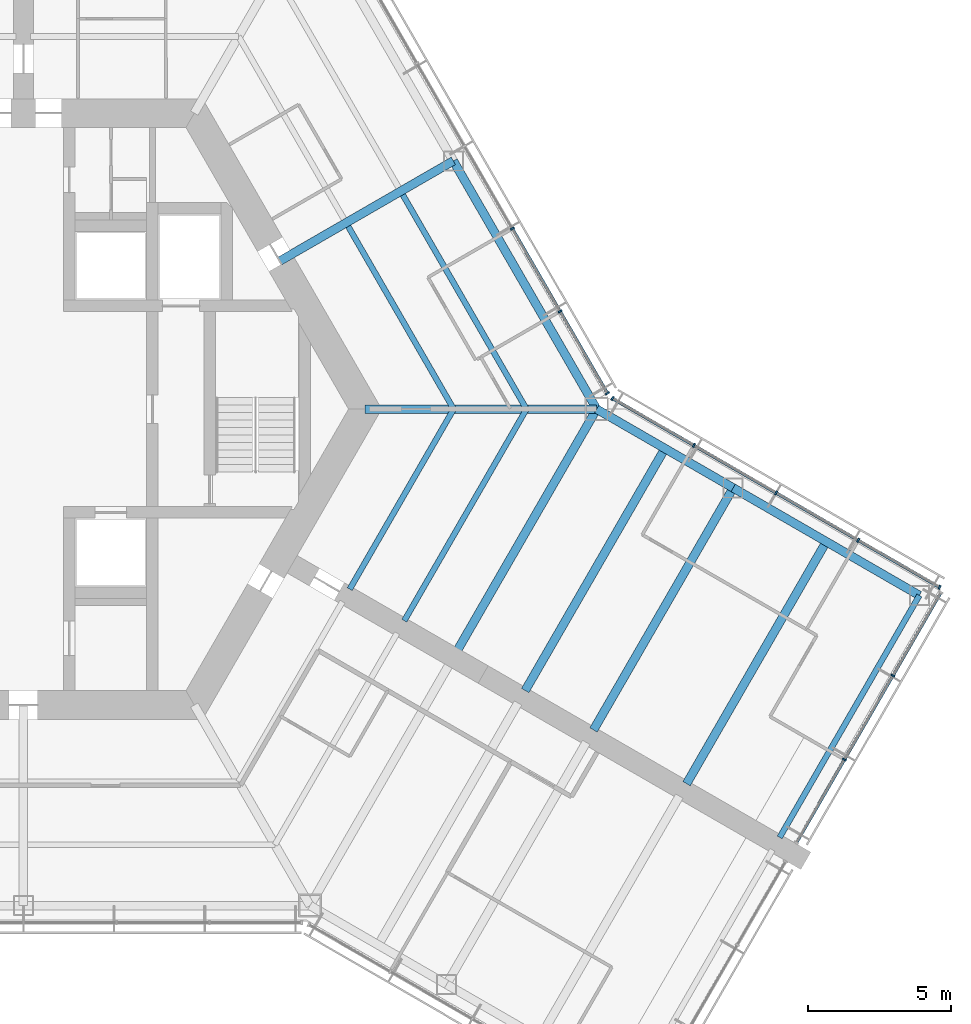
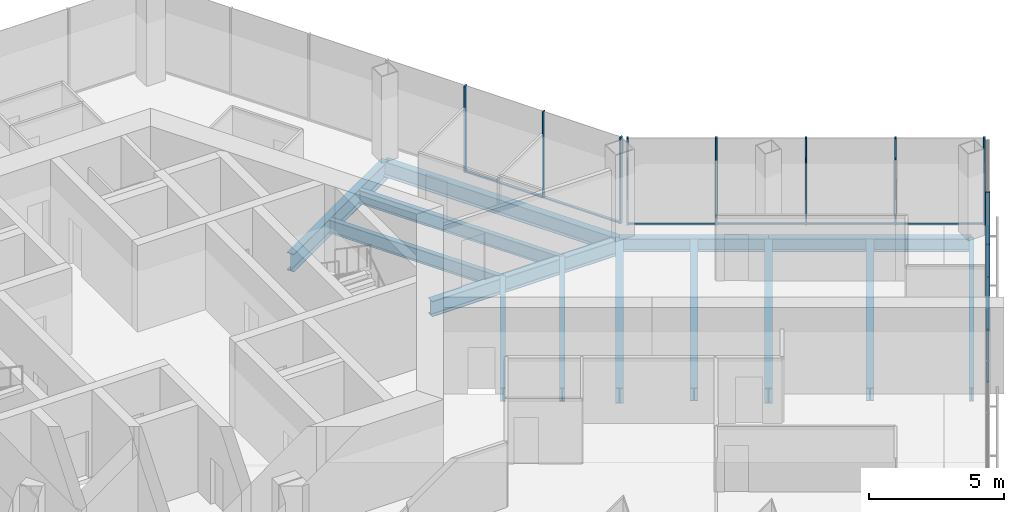
# One storey, part 6 of 18: 19 members, 14 beams, 3 elements without a shape of their own.
"""IFC4 building model written with IfcOpenShell, lengths in metres."""

import ifcopenshell
import ifcopenshell.guid

model = None  # the IFC model being written
_history = None  # IfcOwnerHistory: only IFC2X3 demands one
_inside = {}  # id of a spatial element -> (the spatial element, [elements in it])
_under = {}  # id of a project, library or spatial element -> (it, [spatial elements below it])
_declared = {}  # id of a project -> (the project, [libraries it declares])
_typed = {}  # id of a type object -> (the type object, [elements of that type])
_made_of = {}  # id of a material, layer set ... -> (it, [elements and type objects made of it])


def new_model(schema):
    """Start an empty IFC model of exactly this schema.

    Asked for "IFC4X3", IfcOpenShell would pick the latest addendum, in which some entities
    have other attributes; the version numbers below select the first issue.
    IFC2X3 requires an IfcOwnerHistory on every rooted entity: one is made here for all.
    """
    global model, _history
    if schema == "IFC4X3":
        model = ifcopenshell.file(schema_version=(4, 3, 0, 0))
    else:
        model = ifcopenshell.file(schema=schema)
    _inside.clear()
    _under.clear()
    _declared.clear()
    _typed.clear()
    _made_of.clear()
    _history = None
    if model.schema == "IFC2X3":
        org = make("IfcOrganization", Name="unknown")
        user = make(
            "IfcPersonAndOrganization",
            ThePerson=make("IfcPerson", FamilyName="unknown"),
            TheOrganization=org,
        )
        app = make(
            "IfcApplication",
            ApplicationDeveloper=org,
            Version="unknown",
            ApplicationFullName="unknown",
            ApplicationIdentifier="unknown",
        )
        _history = make(
            "IfcOwnerHistory",
            OwningUser=user,
            OwningApplication=app,
            ChangeAction="ADDED",
            CreationDate=0,
        )
    return model


def make(cls, **values):
    """One entity of the class cls with the attributes given. An attribute that is None is left unset."""
    return model.create_entity(
        cls, **{name: value for name, value in values.items() if value is not None}
    )


def rooted(cls, **values):
    """An entity with a GlobalId (a new one), such as an element, a storey or a relation."""
    return make(cls, GlobalId=ifcopenshell.guid.new(), OwnerHistory=_history, **values)


def si_unit(unit_type, name, prefix=None):
    """IfcSIUnit, for example si_unit("LENGTHUNIT", "METRE", prefix="MILLI")."""
    return make("IfcSIUnit", UnitType=unit_type, Prefix=prefix, Name=name)


def assignment(units):
    """IfcUnitAssignment: the units of a project."""
    return None if units is None else make("IfcUnitAssignment", Units=units)


def point(xyz):
    """IfcCartesianPoint."""
    return None if xyz is None else make("IfcCartesianPoint", Coordinates=xyz)


def direction(xyz):
    """IfcDirection."""
    return None if xyz is None else make("IfcDirection", DirectionRatios=xyz)


def frame(location, z_axis=None, x_axis=None):
    """IfcAxis2Placement3D, a coordinate frame: its origin and axes. An axis left out is left unset."""
    return make(
        "IfcAxis2Placement3D",
        Location=point(location),
        Axis=direction(z_axis),
        RefDirection=direction(x_axis),
    )


def frame_2d(location, x_axis=None):
    """IfcAxis2Placement2D, a coordinate frame in the plane: its origin and x axis."""
    return make(
        "IfcAxis2Placement2D", Location=point(location), RefDirection=direction(x_axis)
    )


def origin():
    """The frame at (0, 0, 0) with its axes left unset."""
    return frame((0.0, 0.0, 0.0))


def origin_2d():
    """The frame at (0, 0) in the plane with its x axis left unset."""
    return frame_2d((0.0, 0.0))


def place(relative_to, where):
    """IfcLocalPlacement: puts the frame where relative to a parent placement (None: the world)."""
    return make(
        "IfcLocalPlacement", PlacementRelTo=relative_to, RelativePlacement=where
    )


def context(
    kind, dimensions, precision=None, world=None, true_north=None, identifier=None
):
    """IfcGeometricRepresentationContext, for example the 3D "Model" context."""
    return make(
        "IfcGeometricRepresentationContext",
        ContextIdentifier=identifier,
        ContextType=kind,
        CoordinateSpaceDimension=dimensions,
        Precision=precision,
        WorldCoordinateSystem=world,
        TrueNorth=true_north,
    )


def subcontext(parent, identifier, kind, view, scale=None):
    """IfcGeometricRepresentationSubContext, for example "Body" below "Model"."""
    return make(
        "IfcGeometricRepresentationSubContext",
        ContextIdentifier=identifier,
        ContextType=kind,
        ParentContext=parent,
        TargetScale=scale,
        TargetView=view,
    )


def project(units=None, contexts=None):
    """IfcProject with its units and contexts."""
    return rooted(
        "IfcProject",
        Name="project",
        RepresentationContexts=contexts,
        UnitsInContext=assignment(units),
    )


def spatial(cls, under=None, at=None, **own):
    """A site, building, storey or space (cls), placed at a placement, below another one or the project."""
    s = rooted(cls, ObjectPlacement=at, **own)
    if under is not None:
        _under.setdefault(under.id(), (under, []))[1].append(s)
    return s


def profile(cls, at=None, kind="AREA", **sizes):
    """A parametric profile (cls). Its sizes go by their IFC names, for example OverallWidth=200.0."""
    return make(cls, ProfileType=kind, Position=at, **sizes)


def rectangle(**sizes):
    """IfcRectangleProfileDef."""
    return profile("IfcRectangleProfileDef", **sizes)


def i_section(**sizes):
    """IfcIShapeProfileDef."""
    return profile("IfcIShapeProfileDef", **sizes)


def extrude(swept, where, along, depth):
    """IfcExtrudedAreaSolid: the profile swept, set in the frame where, extruded along a direction by depth."""
    return make(
        "IfcExtrudedAreaSolid",
        SweptArea=swept,
        Position=where,
        ExtrudedDirection=direction(along),
        Depth=depth,
    )


def shape(context_of_items, identifier, shape_type, items):
    """IfcShapeRepresentation: the items that make up one representation, for example the "Body"."""
    return make(
        "IfcShapeRepresentation",
        ContextOfItems=context_of_items,
        RepresentationIdentifier=identifier,
        RepresentationType=shape_type,
        Items=items,
    )


def material(Name=None, Category=None):
    """IfcMaterial."""
    return make("IfcMaterial", Name=Name, Category=Category)


def material_profile(
    of_material, cross_section, Name=None, Category=None, Priority=None
):
    """IfcMaterialProfile: a cross section and its material."""
    return make(
        "IfcMaterialProfile",
        Name=Name,
        Material=of_material,
        Profile=cross_section,
        Priority=Priority,
        Category=Category,
    )


def profile_set(profiles, Name=None, composite=None):
    """IfcMaterialProfileSet."""
    return make(
        "IfcMaterialProfileSet",
        Name=Name,
        MaterialProfiles=profiles,
        CompositeProfile=composite,
    )


def made_of(thing, what):
    """Note that an element or type object is made of a material, layer set ...; save() writes the relation."""
    if what is not None:
        _made_of.setdefault(what.id(), (what, []))[1].append(thing)
    return thing


def type_object(cls, material=None, **own):
    """A type object (cls), such as IfcWallType, which elements share."""
    return made_of(rooted(cls, **own), material)


def element(
    cls,
    number,
    at=None,
    inside=None,
    cuts=None,
    type_object=None,
    material=None,
    context=None,
    identifier="Body",
    shape_type=None,
    held_by="IfcProductDefinitionShape",
    body=None,
    shapes=None,
    **own,
):
    """One element of the class cls, such as IfcWall. Its Tag is "e" and its number.

    at: its placement. inside: the storey or other place that contains it. cuts: it is an
    opening in that element (IfcRelVoidsElement). A single representation is given by context,
    identifier, shape_type and body (its items); several are given by shapes. held_by: the class
    of the entity that holds the representations. save() writes the other relations.
    """
    e = rooted(cls, Tag="e%d" % number, ObjectPlacement=at, **own)
    if body is not None:
        shapes = [shape(context, identifier, shape_type, body)]
    if shapes is not None:
        e.Representation = make(held_by, Representations=shapes)
    if inside is not None:
        _inside.setdefault(inside.id(), (inside, []))[1].append(e)
    if cuts is not None:
        rooted(
            "IfcRelVoidsElement", RelatingBuildingElement=cuts, RelatedOpeningElement=e
        )
    if type_object is not None:
        _typed.setdefault(type_object.id(), (type_object, []))[1].append(e)
    return made_of(e, material)


def aggregate(whole, parts):
    """IfcRelAggregates: a whole, such as a stair, and the parts it consists of."""
    return rooted("IfcRelAggregates", RelatingObject=whole, RelatedObjects=parts)


def save(model, path):
    """Write the relations noted so far, then the file.

    IfcRelAggregates (storeys below a building ...), IfcRelContainedInSpatialStructure (elements
    in a storey), IfcRelDefinesByType, IfcRelAssociatesMaterial and IfcRelDeclares: one each for
    every whole, place, type object, material and project.
    """
    for whole, parts in _under.values():
        aggregate(whole, parts)
    for where, things in _inside.values():
        rooted(
            "IfcRelContainedInSpatialStructure",
            RelatedElements=things,
            RelatingStructure=where,
        )
    for kind, things in _typed.values():
        rooted("IfcRelDefinesByType", RelatedObjects=things, RelatingType=kind)
    for what, things in _made_of.values():
        rooted("IfcRelAssociatesMaterial", RelatedObjects=things, RelatingMaterial=what)
    for by, libraries in _declared.values():
        rooted("IfcRelDeclares", RelatingContext=by, RelatedDefinitions=libraries)
    model.write(path)


model = new_model("IFC4")

# Units and contexts
model_context = context("Model", 3, precision=1e-05, world=origin(), true_north=direction((0.0, 1.0)))
body_context = subcontext(model_context, "Body", "Model", "MODEL_VIEW")
ifc_project = project(units=[si_unit("LENGTHUNIT", "METRE"), si_unit("AREAUNIT", "SQUARE_METRE"), si_unit("VOLUMEUNIT", "CUBIC_METRE"), si_unit("PLANEANGLEUNIT", "RADIAN"), si_unit("MASSUNIT", "GRAM", prefix="KILO")], contexts=[model_context])

# Site, building, storey
site_placement = place(None, origin())
site = spatial("IfcSite", under=ifc_project, at=site_placement, CompositionType="ELEMENT")
building_placement = place(site_placement, origin())
building = spatial("IfcBuilding", under=site, at=building_placement, Name="Kasaneha Research Tower", CompositionType="ELEMENT")
storey_placement = place(building_placement, frame((0.0, 0.0, 140.89990234375)))
storey = spatial("IfcBuildingStorey", under=building, at=storey_placement, Name="L35", CompositionType="ELEMENT", Elevation=140.89990234375)

# Beams
ifc_material_1 = material(Name="Steel SN490B", Category="steel")
ifc_material_profile_1 = material_profile(ifc_material_1, i_section(OverallWidth=0.199951171875, OverallDepth=0.60009765625, WebThickness=0.010986328125, FlangeThickness=0.01708984375, FilletRadius=0.012939453125, at=origin_2d()), Name="H-600x200x11x17")
ifc_profile_set_1 = profile_set([ifc_material_profile_1], Name="Steel SN490B")
beam_type_1 = type_object("IfcBeamType", Name="B1-3 secondary beam H-600x200x11x17", PredefinedType="JOIST", material=ifc_profile_set_1)
beam_1_placement = place(storey_placement, frame((15.010986328125, 0.0, -0.449951171875), z_axis=(-0.499994443168, 0.866028611999, 0.0), x_axis=(-0.866028611999, -0.499994443168, 0.0)))
element("IfcBeam", 1, at=beam_1_placement, inside=storey, type_object=beam_type_1, Name="Secondary beam RS030L1 L35", PredefinedType="JOIST", context=body_context, shape_type="SweptSolid", body=[
    extrude(i_section(OverallWidth=0.199951171875, OverallDepth=0.60009765625, WebThickness=0.010986328125, FlangeThickness=0.01708984375, FilletRadius=0.012939453125, at=origin_2d()), origin(), (0.0, 0.0, 1.0), 7.35546875),
])
beam_2_placement = place(storey_placement, frame((17.551513671875, 0.0, -0.449951171875), z_axis=(-0.5000050195, 0.866022505755, 0.0), x_axis=(-0.866022505755, -0.5000050195, 0.0)))
element("IfcBeam", 2, at=beam_2_placement, inside=storey, type_object=beam_type_1, Name="Secondary beam RS030L2 L35", PredefinedType="JOIST", context=body_context, shape_type="SweptSolid", body=[
    extrude(i_section(OverallWidth=0.199951171875, OverallDepth=0.60009765625, WebThickness=0.010986328125, FlangeThickness=0.01708984375, FilletRadius=0.012939453125, at=origin_2d()), origin(), (0.0, 0.0, 1.0), 8.6259765625),
])
beam_3_placement = place(storey_placement, frame((15.010986328125, 0.0, -0.449951171875), z_axis=(-0.499993340521, -0.866029248602, 0.0), x_axis=(0.866029248602, -0.499993340521, 0.0)))
element("IfcBeam", 3, at=beam_3_placement, inside=storey, type_object=beam_type_1, Name="Secondary beam RS330R1 L35", PredefinedType="JOIST", context=body_context, shape_type="SweptSolid", body=[
    extrude(i_section(OverallWidth=0.199951171875, OverallDepth=0.60009765625, WebThickness=0.010986328125, FlangeThickness=0.01708984375, FilletRadius=0.012939453125, at=origin_2d()), origin(), (0.0, 0.0, 1.0), 7.25537109375),
])
beam_4_placement = place(storey_placement, frame((17.551513671875, 0.0, -0.449951171875), z_axis=(-0.500004205306, -0.866022975836, 0.0), x_axis=(0.866022975836, -0.500004205306, 0.0)))
element("IfcBeam", 4, at=beam_4_placement, inside=storey, type_object=beam_type_1, Name="Secondary beam RS330R2 L35", PredefinedType="JOIST", context=body_context, shape_type="SweptSolid", body=[
    extrude(i_section(OverallWidth=0.199951171875, OverallDepth=0.60009765625, WebThickness=0.010986328125, FlangeThickness=0.01708984375, FilletRadius=0.012939453125, at=origin_2d()), origin(), (0.0, 0.0, 1.0), 8.52587890625),
])
ifc_material_2 = material(Name="Steel SN490B", Category="steel")
ifc_material_profile_2 = material_profile(ifc_material_2, i_section(OverallWidth=0.300048828125, OverallDepth=0.58203125, WebThickness=0.011962890625, FlangeThickness=0.01708984375, FilletRadius=0.012939453125, at=origin_2d()), Name="H-582x300x12x17")
ifc_profile_set_2 = profile_set([ifc_material_profile_2], Name="Steel SN490B")
beam_type_2 = type_object("IfcBeamType", Name="B2-3 secondary beam H-582x300x12x17", PredefinedType="JOIST", material=ifc_profile_set_2)
for number, where, z_axis, x_axis, name in (
    (5, (22.381591796875, -1.375, -0.44091796875), (-0.499995560238, -0.866027967067, 0.0), (0.866027967067, -0.499995560238, 0.0), "Secondary beam WBCN1 L35"),
    (6, (28.0107421875, -4.625, -0.44091796875), (-0.499995560238, -0.866027967067, 0.0), (0.866027967067, -0.499995560238, 0.0), "Secondary beam WBCN2 L35"),
):
    element("IfcBeam", number, at=place(storey_placement, frame(where, z_axis=z_axis, x_axis=x_axis)), inside=storey, type_object=beam_type_2, Name=name, PredefinedType="JOIST", context=body_context, shape_type="SweptSolid", body=[
        extrude(i_section(OverallWidth=0.300048828125, OverallDepth=0.58203125, WebThickness=0.011962890625, FlangeThickness=0.01708984375, FilletRadius=0.012939453125, at=origin_2d()), origin(), (0.0, 0.0, 1.0), 9.75),
    ])

# Curtain wall, members
ifc_material_3 = material(Name="Glass and aluminium", Category="aluminium")
curtain_wall_type = type_object("IfcCurtainWallType", Name="Mid-rise office curtain wall", PredefinedType="USERDEFINED", material=ifc_material_3)
curtain_wall_1_placement = place(storey_placement, origin())
curtain_wall_1 = element("IfcCurtainWall", 7, at=curtain_wall_1_placement, inside=storey, type_object=curtain_wall_type, Name="CW-O2 L35 run 04a", ObjectType="UNITISED CURTAIN WALL", PredefinedType="USERDEFINED")
ifc_material_4 = material(Name="Aluminium 6063-T6", Category="aluminium")
ifc_material_profile_3 = material_profile(ifc_material_4, rectangle(XDim=0.06005859375, YDim=0.14990234375, at=origin_2d()), Name="CW-O2 mullion 60x150")
ifc_profile_set_3 = profile_set([ifc_material_profile_3], Name="Aluminium 6063-T6")
member_type_1 = type_object("IfcMemberType", Name="CW-O2 mullion", PredefinedType="MULLION", material=ifc_profile_set_3)
member_1_placement = place(storey_placement, frame((28.64453125, -12.22705078125, 0.0), z_axis=(0.0, 0.0, 1.0), x_axis=(0.500000011442, 0.866025397178, 0.0)))
member_1 = element("IfcMember", 8, at=member_1_placement, type_object=member_type_1, Name="CW-O2 mullion 2", PredefinedType="MULLION", context=body_context, shape_type="SweptSolid", body=[
    extrude(rectangle(XDim=0.06005859375, YDim=0.14990234375, at=origin_2d()), origin(), (0.0, 0.0, 1.0), 3.900146484375),
])
member_2_placement = place(storey_placement, frame((30.336181640625, -9.297119140625, 0.0), z_axis=(0.0, 0.0, 1.0), x_axis=(0.500000011442, 0.866025397178, 0.0)))
member_2 = element("IfcMember", 9, at=member_2_placement, type_object=member_type_1, Name="CW-O2 mullion 3", PredefinedType="MULLION", context=body_context, shape_type="SweptSolid", body=[
    extrude(rectangle(XDim=0.06005859375, YDim=0.14990234375, at=origin_2d()), origin(), (0.0, 0.0, 1.0), 3.900146484375),
])

curtain_wall_2_placement = place(storey_placement, origin())
curtain_wall_2 = element("IfcCurtainWall", 10, at=curtain_wall_2_placement, inside=storey, type_object=curtain_wall_type, Name="CW-O2 L35 run 05a", ObjectType="UNITISED CURTAIN WALL", PredefinedType="USERDEFINED")
member_3_placement = place(storey_placement, frame((31.96533203125, -6.21533203125, 0.0), z_axis=(0.0, 0.0, 1.0), x_axis=(-0.866025411464, 0.499999986699, 0.0)))
member_3 = element("IfcMember", 11, at=member_3_placement, type_object=member_type_1, Name="CW-O2 mullion 1", PredefinedType="MULLION", context=body_context, shape_type="SweptSolid", body=[
    extrude(rectangle(XDim=0.06005859375, YDim=0.14990234375, at=origin_2d()), origin(), (0.0, 0.0, 1.0), 3.900146484375),
])
member_4_placement = place(storey_placement, frame((29.125, -4.575439453125, 0.0), z_axis=(0.0, 0.0, 1.0), x_axis=(-0.866025411464, 0.499999986699, 0.0)))
member_4 = element("IfcMember", 12, at=member_4_placement, type_object=member_type_1, Name="CW-O2 mullion 2", PredefinedType="MULLION", context=body_context, shape_type="SweptSolid", body=[
    extrude(rectangle(XDim=0.06005859375, YDim=0.14990234375, at=origin_2d()), origin(), (0.0, 0.0, 1.0), 3.900146484375),
])
member_5_placement = place(storey_placement, frame((26.258544921875, -2.920654296875, 0.0), z_axis=(0.0, 0.0, 1.0), x_axis=(-0.866025411464, 0.499999986699, 0.0)))
member_5 = element("IfcMember", 13, at=member_5_placement, type_object=member_type_1, Name="CW-O2 mullion 3", PredefinedType="MULLION", context=body_context, shape_type="SweptSolid", body=[
    extrude(rectangle(XDim=0.06005859375, YDim=0.14990234375, at=origin_2d()), origin(), (0.0, 0.0, 1.0), 3.900146484375),
])
member_6_placement = place(storey_placement, frame((23.39208984375, -1.265625, 0.0), z_axis=(0.0, 0.0, 1.0), x_axis=(-0.866025411464, 0.499999986699, 0.0)))
member_6 = element("IfcMember", 14, at=member_6_placement, type_object=member_type_1, Name="CW-O2 mullion 4", PredefinedType="MULLION", context=body_context, shape_type="SweptSolid", body=[
    extrude(rectangle(XDim=0.06005859375, YDim=0.14990234375, at=origin_2d()), origin(), (0.0, 0.0, 1.0), 3.900146484375),
])
member_7_placement = place(storey_placement, frame((20.5517578125, 0.374267578125, 0.0), z_axis=(0.0, 0.0, 1.0), x_axis=(-0.866025411464, 0.499999986699, 0.0)))
member_7 = element("IfcMember", 15, at=member_7_placement, type_object=member_type_1, Name="CW-O2 mullion 5", PredefinedType="MULLION", context=body_context, shape_type="SweptSolid", body=[
    extrude(rectangle(XDim=0.06005859375, YDim=0.14990234375, at=origin_2d()), origin(), (0.0, 0.0, 1.0), 3.900146484375),
])

curtain_wall_3_placement = place(storey_placement, origin())
curtain_wall_3 = element("IfcCurtainWall", 16, at=curtain_wall_3_placement, inside=storey, type_object=curtain_wall_type, Name="CW-O2 L35 run 06a", ObjectType="UNITISED CURTAIN WALL", PredefinedType="USERDEFINED")
member_8_placement = place(storey_placement, frame((20.374267578125, 0.5517578125, 0.0), z_axis=(0.0, 0.0, 1.0), x_axis=(-0.499999979232, 0.866025415775, 0.0)))
member_8 = element("IfcMember", 17, at=member_8_placement, type_object=member_type_1, Name="CW-O2 mullion 1", PredefinedType="MULLION", context=body_context, shape_type="SweptSolid", body=[
    extrude(rectangle(XDim=0.06005859375, YDim=0.14990234375, at=origin_2d()), origin(), (0.0, 0.0, 1.0), 3.900146484375),
])
member_9_placement = place(storey_placement, frame((18.723876953125, 3.410400390625, 0.0), z_axis=(0.0, 0.0, 1.0), x_axis=(-0.499999979232, 0.866025415775, 0.0)))
member_9 = element("IfcMember", 18, at=member_9_placement, type_object=member_type_1, Name="CW-O2 mullion 2", PredefinedType="MULLION", context=body_context, shape_type="SweptSolid", body=[
    extrude(rectangle(XDim=0.06005859375, YDim=0.14990234375, at=origin_2d()), origin(), (0.0, 0.0, 1.0), 3.900146484375),
])
member_10_placement = place(storey_placement, frame((17.058349609375, 6.295166015625, 0.0), z_axis=(0.0, 0.0, 1.0), x_axis=(-0.499999979232, 0.866025415775, 0.0)))
member_10 = element("IfcMember", 19, at=member_10_placement, type_object=member_type_1, Name="CW-O2 mullion 3", PredefinedType="MULLION", context=body_context, shape_type="SweptSolid", body=[
    extrude(rectangle(XDim=0.06005859375, YDim=0.14990234375, at=origin_2d()), origin(), (0.0, 0.0, 1.0), 3.900146484375),
])

# Member
ifc_material_5 = material(Name="Aluminium 6063-T6", Category="aluminium")
ifc_material_profile_4 = material_profile(ifc_material_5, rectangle(XDim=0.110107421875, YDim=0.06005859375, at=origin_2d()), Name="CW-O2 transom 110x60")
ifc_profile_set_4 = profile_set([ifc_material_profile_4], Name="Aluminium 6063-T6")
member_type_2 = type_object("IfcMemberType", Name="CW-O2 transom", PredefinedType="USERDEFINED", material=ifc_profile_set_4)
member_11_placement = place(storey_placement, frame((26.98291015625, -15.105224609375, 0.030029296875), z_axis=(0.500021914551, 0.866012751043, 0.0), x_axis=(-0.866012751043, 0.500021914551, 0.0)))
member_11 = element("IfcMember", 20, at=member_11_placement, type_object=member_type_2, Name="CW-O2 transom 1", ObjectType="TRANSOM", PredefinedType="USERDEFINED", context=body_context, shape_type="SweptSolid", body=[
    extrude(rectangle(XDim=0.110107421875, YDim=0.06005859375, at=origin_2d()), origin(), (0.0, 0.0, 1.0), 3.293212890625),
])

member_12_placement = place(storey_placement, frame((28.65966796875, -12.201171875, 0.030029296875), z_axis=(0.499978935311, 0.866037565146, 0.0), x_axis=(-0.866037565146, 0.499978935311, 0.0)))
member_12 = element("IfcMember", 21, at=member_12_placement, type_object=member_type_2, Name="CW-O2 transom 2", ObjectType="TRANSOM", PredefinedType="USERDEFINED", context=body_context, shape_type="SweptSolid", body=[
    extrude(rectangle(XDim=0.110107421875, YDim=0.06005859375, at=origin_2d()), origin(), (0.0, 0.0, 1.0), 3.323486328125),
])

member_13_placement = place(storey_placement, frame((30.351318359375, -9.27099609375, 0.030029296875), z_axis=(0.500021914551, 0.866012751043, 0.0), x_axis=(-0.866012751043, 0.500021914551, 0.0)))
member_13 = element("IfcMember", 22, at=member_13_placement, type_object=member_type_2, Name="CW-O2 transom 3", ObjectType="TRANSOM", PredefinedType="USERDEFINED", context=body_context, shape_type="SweptSolid", body=[
    extrude(rectangle(XDim=0.110107421875, YDim=0.06005859375, at=origin_2d()), origin(), (0.0, 0.0, 1.0), 3.293212890625),
])

aggregate(curtain_wall_1, [member_1, member_2, member_11, member_12, member_13])

member_14_placement = place(storey_placement, frame((31.939453125, -6.200439453125, 0.030029296875), z_axis=(-0.866041647767, 0.499971863542, 0.0), x_axis=(-0.499971863542, -0.866041647767, 0.0)))
member_14 = element("IfcMember", 23, at=member_14_placement, type_object=member_type_2, Name="CW-O2 transom 1", ObjectType="TRANSOM", PredefinedType="USERDEFINED", context=body_context, shape_type="SweptSolid", body=[
    extrude(rectangle(XDim=0.110107421875, YDim=0.06005859375, at=origin_2d()), origin(), (0.0, 0.0, 1.0), 3.219970703125),
])

member_15_placement = place(storey_placement, frame((29.098876953125, -4.560546875, 0.030029296875), z_axis=(-0.86599666273, 0.500049777664, 0.0), x_axis=(-0.500049777664, -0.86599666273, 0.0)))
member_15 = element("IfcMember", 24, at=member_15_placement, type_object=member_type_2, Name="CW-O2 transom 2", ObjectType="TRANSOM", PredefinedType="USERDEFINED", context=body_context, shape_type="SweptSolid", body=[
    extrude(rectangle(XDim=0.110107421875, YDim=0.06005859375, at=origin_2d()), origin(), (0.0, 0.0, 1.0), 3.249755859375),
])

member_16_placement = place(storey_placement, frame((26.232666015625, -2.905517578125, 0.030029296875), z_axis=(-0.86604797581, 0.499960902066, 0.0), x_axis=(-0.499960902066, -0.86604797581, 0.0)))
member_16 = element("IfcMember", 25, at=member_16_placement, type_object=member_type_2, Name="CW-O2 transom 3", ObjectType="TRANSOM", PredefinedType="USERDEFINED", context=body_context, shape_type="SweptSolid", body=[
    extrude(rectangle(XDim=0.110107421875, YDim=0.06005859375, at=origin_2d()), origin(), (0.0, 0.0, 1.0), 3.249755859375),
])

member_17_placement = place(storey_placement, frame((23.3662109375, -1.250732421875, 0.030029296875), z_axis=(-0.866022692473, 0.500004696101, 0.0), x_axis=(-0.500004696101, -0.866022692473, 0.0)))
member_17 = element("IfcMember", 26, at=member_17_placement, type_object=member_type_2, Name="CW-O2 transom 4", ObjectType="TRANSOM", PredefinedType="USERDEFINED", context=body_context, shape_type="SweptSolid", body=[
    extrude(rectangle(XDim=0.110107421875, YDim=0.06005859375, at=origin_2d()), origin(), (0.0, 0.0, 1.0), 3.2197265625),
])

aggregate(curtain_wall_2, [member_3, member_4, member_5, member_6, member_7, member_14, member_15, member_16, member_17])

member_18_placement = place(storey_placement, frame((20.359130859375, 0.577880859375, 0.030029296875), z_axis=(-0.499987643696, 0.866032537582, 0.0), x_axis=(-0.866032537582, -0.499987643696, 0.0)))
member_18 = element("IfcMember", 27, at=member_18_placement, type_object=member_type_2, Name="CW-O2 transom 1", ObjectType="TRANSOM", PredefinedType="USERDEFINED", context=body_context, shape_type="SweptSolid", body=[
    extrude(rectangle(XDim=0.110107421875, YDim=0.06005859375, at=origin_2d()), origin(), (0.0, 0.0, 1.0), 3.24072265625),
])

member_19_placement = place(storey_placement, frame((18.708740234375, 3.4365234375, 0.030029296875), z_axis=(-0.500000270186, 0.866025247793, 0.0), x_axis=(-0.866025247793, -0.500000270186, 0.0)))
member_19 = element("IfcMember", 28, at=member_19_placement, type_object=member_type_2, Name="CW-O2 transom 2", ObjectType="TRANSOM", PredefinedType="USERDEFINED", context=body_context, shape_type="SweptSolid", body=[
    extrude(rectangle(XDim=0.110107421875, YDim=0.06005859375, at=origin_2d()), origin(), (0.0, 0.0, 1.0), 3.27099609375),
])

aggregate(curtain_wall_3, [member_8, member_9, member_10, member_18, member_19])

# Beams
ifc_material_6 = material(Name="Steel SN490B", Category="steel")
ifc_material_profile_5 = material_profile(ifc_material_6, i_section(OverallWidth=0.300048828125, OverallDepth=0.699951171875, WebThickness=0.012939453125, FlangeThickness=0.02392578125, FilletRadius=0.01806640625, at=origin_2d()), Name="H-700x300x13x24")
ifc_profile_set_5 = profile_set([ifc_material_profile_5], Name="Steel SN490B")
beam_type_3 = type_object("IfcBeamType", Name="G1-3 radial girder H-700x300x13x24", PredefinedType="BEAM", material=ifc_profile_set_5)
beam_5_placement = place(storey_placement, frame((11.92236328125, 0.0, -0.5), z_axis=(1.0, 0.0, 0.0), x_axis=(0.0, 1.0, 0.0)))
element("IfcBeam", 29, at=beam_5_placement, inside=storey, type_object=beam_type_3, Name="Radial girder RV000 L35", PredefinedType="BEAM", context=body_context, shape_type="SweptSolid", body=[
    extrude(i_section(OverallWidth=0.300048828125, OverallDepth=0.699951171875, WebThickness=0.012939453125, FlangeThickness=0.02392578125, FilletRadius=0.01806640625, at=origin_2d()), origin(), (0.0, 0.0, 1.0), 8.07763671875),
])
ifc_material_7 = material(Name="Steel SN490B", Category="steel")
ifc_material_profile_6 = material_profile(ifc_material_7, i_section(OverallWidth=0.300048828125, OverallDepth=0.800048828125, WebThickness=0.013916015625, FlangeThickness=0.02587890625, FilletRadius=0.01806640625, at=origin_2d()), Name="H-800x300x14x26")
ifc_profile_set_6 = profile_set([ifc_material_profile_6], Name="Steel SN490B")
beam_type_4 = type_object("IfcBeamType", Name="G2-3 radial girder H-800x300x14x26", PredefinedType="BEAM", material=ifc_profile_set_6)
beam_6_placement = place(storey_placement, frame((8.941650390625, 5.16259765625, -0.5498046875), z_axis=(0.866039713508, 0.499975214012, 0.0), x_axis=(-0.499975214012, 0.866039713508, 0.0)))
element("IfcBeam", 30, at=beam_6_placement, inside=storey, type_object=beam_type_4, Name="Radial girder RM030 L35", PredefinedType="BEAM", context=body_context, shape_type="SweptSolid", body=[
    extrude(i_section(OverallWidth=0.300048828125, OverallDepth=0.800048828125, WebThickness=0.013916015625, FlangeThickness=0.02587890625, FilletRadius=0.01806640625, at=origin_2d()), origin(), (0.0, 0.0, 1.0), 6.995361328125),
])
ifc_material_8 = material(Name="Steel SN490B", Category="steel")
ifc_material_profile_7 = material_profile(ifc_material_8, i_section(OverallWidth=0.300048828125, OverallDepth=0.69189453125, WebThickness=0.012939453125, FlangeThickness=0.02001953125, FilletRadius=0.01806640625, at=origin_2d()), Name="H-692x300x13x20")
ifc_profile_set_7 = profile_set([ifc_material_profile_7], Name="Steel SN490B")
beam_type_5 = type_object("IfcBeamType", Name="G3-3 plate edge girder H-692x300x13x20", PredefinedType="BEAM", material=ifc_profile_set_7)
beam_7_placement = place(storey_placement, frame((20.0, 0.0, -0.495849609375), z_axis=(-0.499995560238, -0.866027967067, 0.0), x_axis=(0.866027967067, -0.499995560238, 0.0)))
element("IfcBeam", 31, at=beam_7_placement, inside=storey, type_object=beam_type_5, Name="Plate edge girder PECN L35", PredefinedType="BEAM", context=body_context, shape_type="SweptSolid", body=[
    extrude(i_section(OverallWidth=0.300048828125, OverallDepth=0.69189453125, WebThickness=0.012939453125, FlangeThickness=0.02001953125, FilletRadius=0.01806640625, at=origin_2d()), origin(), (0.0, 0.0, 1.0), 9.75),
])
ifc_material_9 = material(Name="Steel SN490B", Category="steel")
ifc_material_profile_8 = material_profile(ifc_material_9, i_section(OverallWidth=0.300048828125, OverallDepth=0.699951171875, WebThickness=0.012939453125, FlangeThickness=0.02392578125, FilletRadius=0.01806640625, at=origin_2d()), Name="H-700x300x13x24")
ifc_profile_set_8 = profile_set([ifc_material_profile_8], Name="Steel SN490B")
beam_type_6 = type_object("IfcBeamType", Name="G4-3 wing girder H-700x300x13x24", PredefinedType="BEAM", material=ifc_profile_set_8)
beam_8_placement = place(storey_placement, frame((24.76318359375, -2.75, -0.5), z_axis=(-0.499995560238, -0.866027967067, 0.0), x_axis=(0.866027967067, -0.499995560238, 0.0)))
element("IfcBeam", 32, at=beam_8_placement, inside=storey, type_object=beam_type_6, Name="Wing girder WGCN L35", PredefinedType="BEAM", context=body_context, shape_type="SweptSolid", body=[
    extrude(i_section(OverallWidth=0.300048828125, OverallDepth=0.699951171875, WebThickness=0.012939453125, FlangeThickness=0.02392578125, FilletRadius=0.01806640625, at=origin_2d()), origin(), (0.0, 0.0, 1.0), 9.75),
])
ifc_material_10 = material(Name="Steel SN490B", Category="steel")
ifc_material_profile_9 = material_profile(ifc_material_10, i_section(OverallWidth=0.300048828125, OverallDepth=0.69189453125, WebThickness=0.012939453125, FlangeThickness=0.02001953125, FilletRadius=0.01806640625, at=origin_2d()), Name="H-692x300x13x20")
ifc_profile_set_9 = profile_set([ifc_material_profile_9], Name="Steel SN490B")
beam_type_7 = type_object("IfcBeamType", Name="SB1-3 spandrel beam H-692x300x13x20", PredefinedType="SPANDREL", material=ifc_profile_set_9)
beam_9_placement = place(storey_placement, frame((20.0, 0.0, -0.495849609375), z_axis=(-0.500004234368, 0.866022959057, 0.0), x_axis=(-0.866022959057, -0.500004234368, 0.0)))
element("IfcBeam", 33, at=beam_9_placement, inside=storey, type_object=beam_type_7, Name="Spandrel beam SR030L L35", PredefinedType="SPANDREL", context=body_context, shape_type="SweptSolid", body=[
    extrude(i_section(OverallWidth=0.300048828125, OverallDepth=0.69189453125, WebThickness=0.012939453125, FlangeThickness=0.02001953125, FilletRadius=0.01806640625, at=origin_2d()), origin(), (0.0, 0.0, 1.0), 10.0),
])
ifc_material_11 = material(Name="Steel SN490B", Category="steel")
ifc_material_profile_10 = material_profile(ifc_material_11, i_section(OverallWidth=0.300048828125, OverallDepth=0.58203125, WebThickness=0.011962890625, FlangeThickness=0.01708984375, FilletRadius=0.012939453125, at=origin_2d()), Name="H-582x300x12x17")
ifc_profile_set_10 = profile_set([ifc_material_profile_10], Name="Steel SN490B")
beam_type_8 = type_object("IfcBeamType", Name="SB2-3 spandrel beam H-582x300x12x17", PredefinedType="SPANDREL", material=ifc_profile_set_10)
beam_10_placement = place(storey_placement, frame((20.0, 0.0, -0.44091796875), z_axis=(0.866027397988, -0.499996545922, 0.0), x_axis=(0.499996545922, 0.866027397988, 0.0)))
element("IfcBeam", 34, at=beam_10_placement, inside=storey, type_object=beam_type_8, Name="Spandrel beam WSCN1 L35", PredefinedType="SPANDREL", context=body_context, shape_type="SweptSolid", body=[
    extrude(i_section(OverallWidth=0.300048828125, OverallDepth=0.58203125, WebThickness=0.011962890625, FlangeThickness=0.01708984375, FilletRadius=0.012939453125, at=origin_2d()), origin(), (0.0, 0.0, 1.0), 5.5),
])
beam_11_placement = place(storey_placement, frame((24.76318359375, -2.75, -0.44091796875), z_axis=(0.866022959057, -0.500004234368, 0.0), x_axis=(0.500004234368, 0.866022959057, 0.0)))
element("IfcBeam", 35, at=beam_11_placement, inside=storey, type_object=beam_type_8, Name="Spandrel beam WSCN2 L35", PredefinedType="SPANDREL", context=body_context, shape_type="SweptSolid", body=[
    extrude(i_section(OverallWidth=0.300048828125, OverallDepth=0.58203125, WebThickness=0.011962890625, FlangeThickness=0.01708984375, FilletRadius=0.012939453125, at=origin_2d()), origin(), (0.0, 0.0, 1.0), 7.5),
])
ifc_material_12 = material(Name="Steel SN490B", Category="steel")
ifc_material_profile_11 = material_profile(ifc_material_12, i_section(OverallWidth=0.199951171875, OverallDepth=0.60009765625, WebThickness=0.010986328125, FlangeThickness=0.01708984375, FilletRadius=0.012939453125, at=origin_2d()), Name="H-600x200x11x17")
ifc_profile_set_11 = profile_set([ifc_material_profile_11], Name="Steel SN490B")
beam_type_9 = type_object("IfcBeamType", Name="SB3-3 spandrel beam H-600x200x11x17", PredefinedType="SPANDREL", material=ifc_profile_set_11)
beam_12_placement = place(storey_placement, frame((31.25830078125, -6.5, -0.449951171875), z_axis=(-0.499995560238, -0.866027967067, 0.0), x_axis=(0.866027967067, -0.499995560238, 0.0)))
element("IfcBeam", 36, at=beam_12_placement, inside=storey, type_object=beam_type_9, Name="Spandrel beam WTCN L35", PredefinedType="SPANDREL", context=body_context, shape_type="SweptSolid", body=[
    extrude(i_section(OverallWidth=0.199951171875, OverallDepth=0.60009765625, WebThickness=0.010986328125, FlangeThickness=0.01708984375, FilletRadius=0.012939453125, at=origin_2d()), origin(), (0.0, 0.0, 1.0), 9.75),
])

save(model, "model.ifc")
